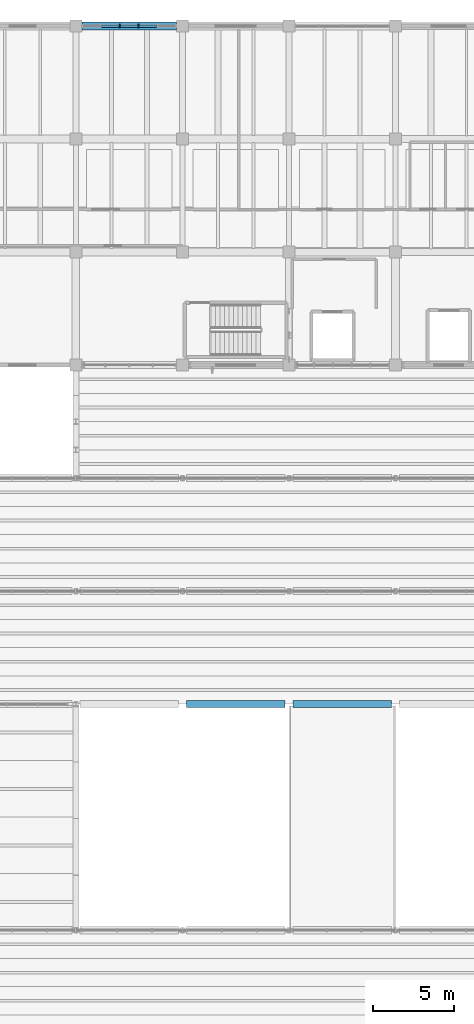
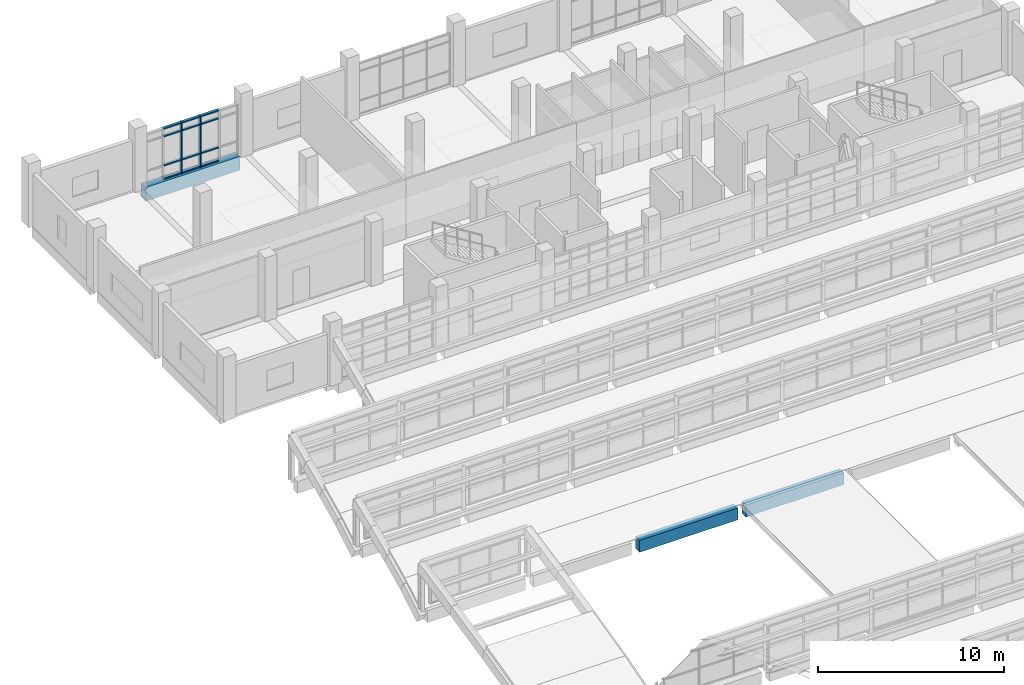
# One storey, part 39 of 92: 14 members, 3 beams, 1 element without a shape of its own.
"""IFC4 building model written with IfcOpenShell, lengths in metres."""

import ifcopenshell
import ifcopenshell.guid

model = None  # the IFC model being written
_history = None  # IfcOwnerHistory: only IFC2X3 demands one
_inside = {}  # id of a spatial element -> (the spatial element, [elements in it])
_under = {}  # id of a project, library or spatial element -> (it, [spatial elements below it])
_declared = {}  # id of a project -> (the project, [libraries it declares])
_typed = {}  # id of a type object -> (the type object, [elements of that type])
_made_of = {}  # id of a material, layer set ... -> (it, [elements and type objects made of it])


def new_model(schema):
    """Start an empty IFC model of exactly this schema.

    Asked for "IFC4X3", IfcOpenShell would pick the latest addendum, in which some entities
    have other attributes; the version numbers below select the first issue.
    IFC2X3 requires an IfcOwnerHistory on every rooted entity: one is made here for all.
    """
    global model, _history
    if schema == "IFC4X3":
        model = ifcopenshell.file(schema_version=(4, 3, 0, 0))
    else:
        model = ifcopenshell.file(schema=schema)
    _inside.clear()
    _under.clear()
    _declared.clear()
    _typed.clear()
    _made_of.clear()
    _history = None
    if model.schema == "IFC2X3":
        org = make("IfcOrganization", Name="unknown")
        user = make(
            "IfcPersonAndOrganization",
            ThePerson=make("IfcPerson", FamilyName="unknown"),
            TheOrganization=org,
        )
        app = make(
            "IfcApplication",
            ApplicationDeveloper=org,
            Version="unknown",
            ApplicationFullName="unknown",
            ApplicationIdentifier="unknown",
        )
        _history = make(
            "IfcOwnerHistory",
            OwningUser=user,
            OwningApplication=app,
            ChangeAction="ADDED",
            CreationDate=0,
        )
    return model


def make(cls, **values):
    """One entity of the class cls with the attributes given. An attribute that is None is left unset."""
    return model.create_entity(
        cls, **{name: value for name, value in values.items() if value is not None}
    )


def rooted(cls, **values):
    """An entity with a GlobalId (a new one), such as an element, a storey or a relation."""
    return make(cls, GlobalId=ifcopenshell.guid.new(), OwnerHistory=_history, **values)


def si_unit(unit_type, name, prefix=None):
    """IfcSIUnit, for example si_unit("LENGTHUNIT", "METRE", prefix="MILLI")."""
    return make("IfcSIUnit", UnitType=unit_type, Prefix=prefix, Name=name)


def assignment(units):
    """IfcUnitAssignment: the units of a project."""
    return None if units is None else make("IfcUnitAssignment", Units=units)


def point(xyz):
    """IfcCartesianPoint."""
    return None if xyz is None else make("IfcCartesianPoint", Coordinates=xyz)


def direction(xyz):
    """IfcDirection."""
    return None if xyz is None else make("IfcDirection", DirectionRatios=xyz)


def frame(location, z_axis=None, x_axis=None):
    """IfcAxis2Placement3D, a coordinate frame: its origin and axes. An axis left out is left unset."""
    return make(
        "IfcAxis2Placement3D",
        Location=point(location),
        Axis=direction(z_axis),
        RefDirection=direction(x_axis),
    )


def frame_2d(location, x_axis=None):
    """IfcAxis2Placement2D, a coordinate frame in the plane: its origin and x axis."""
    return make(
        "IfcAxis2Placement2D", Location=point(location), RefDirection=direction(x_axis)
    )


def origin():
    """The frame at (0, 0, 0) with its axes left unset."""
    return frame((0.0, 0.0, 0.0))


def origin_2d():
    """The frame at (0, 0) in the plane with its x axis left unset."""
    return frame_2d((0.0, 0.0))


def place(relative_to, where):
    """IfcLocalPlacement: puts the frame where relative to a parent placement (None: the world)."""
    return make(
        "IfcLocalPlacement", PlacementRelTo=relative_to, RelativePlacement=where
    )


def context(
    kind, dimensions, precision=None, world=None, true_north=None, identifier=None
):
    """IfcGeometricRepresentationContext, for example the 3D "Model" context."""
    return make(
        "IfcGeometricRepresentationContext",
        ContextIdentifier=identifier,
        ContextType=kind,
        CoordinateSpaceDimension=dimensions,
        Precision=precision,
        WorldCoordinateSystem=world,
        TrueNorth=true_north,
    )


def subcontext(parent, identifier, kind, view, scale=None):
    """IfcGeometricRepresentationSubContext, for example "Body" below "Model"."""
    return make(
        "IfcGeometricRepresentationSubContext",
        ContextIdentifier=identifier,
        ContextType=kind,
        ParentContext=parent,
        TargetScale=scale,
        TargetView=view,
    )


def project(units=None, contexts=None):
    """IfcProject with its units and contexts."""
    return rooted(
        "IfcProject",
        Name="project",
        RepresentationContexts=contexts,
        UnitsInContext=assignment(units),
    )


def spatial(cls, under=None, at=None, **own):
    """A site, building, storey or space (cls), placed at a placement, below another one or the project."""
    s = rooted(cls, ObjectPlacement=at, **own)
    if under is not None:
        _under.setdefault(under.id(), (under, []))[1].append(s)
    return s


def profile(cls, at=None, kind="AREA", **sizes):
    """A parametric profile (cls). Its sizes go by their IFC names, for example OverallWidth=200.0."""
    return make(cls, ProfileType=kind, Position=at, **sizes)


def rectangle(**sizes):
    """IfcRectangleProfileDef."""
    return profile("IfcRectangleProfileDef", **sizes)


def extrude(swept, where, along, depth):
    """IfcExtrudedAreaSolid: the profile swept, set in the frame where, extruded along a direction by depth."""
    return make(
        "IfcExtrudedAreaSolid",
        SweptArea=swept,
        Position=where,
        ExtrudedDirection=direction(along),
        Depth=depth,
    )


def shape(context_of_items, identifier, shape_type, items):
    """IfcShapeRepresentation: the items that make up one representation, for example the "Body"."""
    return make(
        "IfcShapeRepresentation",
        ContextOfItems=context_of_items,
        RepresentationIdentifier=identifier,
        RepresentationType=shape_type,
        Items=items,
    )


def material(Name=None, Category=None):
    """IfcMaterial."""
    return make("IfcMaterial", Name=Name, Category=Category)


def material_profile(
    of_material, cross_section, Name=None, Category=None, Priority=None
):
    """IfcMaterialProfile: a cross section and its material."""
    return make(
        "IfcMaterialProfile",
        Name=Name,
        Material=of_material,
        Profile=cross_section,
        Priority=Priority,
        Category=Category,
    )


def profile_set(profiles, Name=None, composite=None):
    """IfcMaterialProfileSet."""
    return make(
        "IfcMaterialProfileSet",
        Name=Name,
        MaterialProfiles=profiles,
        CompositeProfile=composite,
    )


def made_of(thing, what):
    """Note that an element or type object is made of a material, layer set ...; save() writes the relation."""
    if what is not None:
        _made_of.setdefault(what.id(), (what, []))[1].append(thing)
    return thing


def type_object(cls, material=None, **own):
    """A type object (cls), such as IfcWallType, which elements share."""
    return made_of(rooted(cls, **own), material)


def element(
    cls,
    number,
    at=None,
    inside=None,
    cuts=None,
    type_object=None,
    material=None,
    context=None,
    identifier="Body",
    shape_type=None,
    held_by="IfcProductDefinitionShape",
    body=None,
    shapes=None,
    **own,
):
    """One element of the class cls, such as IfcWall. Its Tag is "e" and its number.

    at: its placement. inside: the storey or other place that contains it. cuts: it is an
    opening in that element (IfcRelVoidsElement). A single representation is given by context,
    identifier, shape_type and body (its items); several are given by shapes. held_by: the class
    of the entity that holds the representations. save() writes the other relations.
    """
    e = rooted(cls, Tag="e%d" % number, ObjectPlacement=at, **own)
    if body is not None:
        shapes = [shape(context, identifier, shape_type, body)]
    if shapes is not None:
        e.Representation = make(held_by, Representations=shapes)
    if inside is not None:
        _inside.setdefault(inside.id(), (inside, []))[1].append(e)
    if cuts is not None:
        rooted(
            "IfcRelVoidsElement", RelatingBuildingElement=cuts, RelatedOpeningElement=e
        )
    if type_object is not None:
        _typed.setdefault(type_object.id(), (type_object, []))[1].append(e)
    return made_of(e, material)


def aggregate(whole, parts):
    """IfcRelAggregates: a whole, such as a stair, and the parts it consists of."""
    return rooted("IfcRelAggregates", RelatingObject=whole, RelatedObjects=parts)


def save(model, path):
    """Write the relations noted so far, then the file.

    IfcRelAggregates (storeys below a building ...), IfcRelContainedInSpatialStructure (elements
    in a storey), IfcRelDefinesByType, IfcRelAssociatesMaterial and IfcRelDeclares: one each for
    every whole, place, type object, material and project.
    """
    for whole, parts in _under.values():
        aggregate(whole, parts)
    for where, things in _inside.values():
        rooted(
            "IfcRelContainedInSpatialStructure",
            RelatedElements=things,
            RelatingStructure=where,
        )
    for kind, things in _typed.values():
        rooted("IfcRelDefinesByType", RelatedObjects=things, RelatingType=kind)
    for what, things in _made_of.values():
        rooted("IfcRelAssociatesMaterial", RelatedObjects=things, RelatingMaterial=what)
    for by, libraries in _declared.values():
        rooted("IfcRelDeclares", RelatingContext=by, RelatedDefinitions=libraries)
    model.write(path)


model = new_model("IFC4")

# Units and contexts
model_context = context("Model", 3, precision=1e-05, world=origin(), true_north=direction((0.0, 1.0)))
body_context = subcontext(model_context, "Body", "Model", "MODEL_VIEW")
ifc_project = project(units=[si_unit("LENGTHUNIT", "METRE"), si_unit("AREAUNIT", "SQUARE_METRE"), si_unit("VOLUMEUNIT", "CUBIC_METRE"), si_unit("PLANEANGLEUNIT", "RADIAN"), si_unit("MASSUNIT", "GRAM", prefix="KILO")], contexts=[model_context])

# Site, building, storey
site_placement = place(None, origin())
site = spatial("IfcSite", under=ifc_project, at=site_placement, CompositionType="ELEMENT")
building_placement = place(site_placement, origin())
building = spatial("IfcBuilding", under=site, at=building_placement, Name="Ciguamira Faculty of Natural Sciences", CompositionType="ELEMENT")
storey_placement = place(building_placement, frame((0.0, 0.0, 16.800048828125)))
storey = spatial("IfcBuildingStorey", under=building, at=storey_placement, Name="L04", CompositionType="ELEMENT", Elevation=16.800048828125)

# Curtain wall, members
ifc_material_1 = material(Name="Anodized aluminium curtain wall", Category="aluminium")
curtain_wall_type = type_object("IfcCurtainWallType", Name="CurtainWall_CW-06", PredefinedType="USERDEFINED", material=ifc_material_1)
curtain_wall_placement = place(storey_placement, origin())
curtain_wall = element("IfcCurtainWall", 1, at=curtain_wall_placement, inside=storey, type_object=curtain_wall_type, Name="L04 unitised curtain wall 0126", ObjectType="UNITISED CURTAIN WALL", PredefinedType="USERDEFINED")
ifc_material_2 = material(Name="Anodized aluminium mullion", Category="aluminium")
ifc_material_profile_1 = material_profile(ifc_material_2, rectangle(XDim=0.080078125, YDim=0.219970703125, at=origin_2d()), Name="ALU-MUL-80X220")
ifc_profile_set_1 = profile_set([ifc_material_profile_1], Name="Anodized aluminium mullion")
member_type_1 = type_object("IfcMemberType", Name="CWMullion_CWM-03", PredefinedType="MULLION", material=ifc_profile_set_1)
member_1_placement = place(storey_placement, frame((66.614990234375, 115.0, 0.0), z_axis=(0.0, 0.0, 1.0), x_axis=(1.0, 0.0, 0.0)))
member_1 = element("IfcMember", 2, at=member_1_placement, type_object=member_type_1, Name="CW-06 mullion 3", PredefinedType="MULLION", context=body_context, shape_type="SweptSolid", body=[
    extrude(rectangle(XDim=0.080078125, YDim=0.219970703125, at=origin_2d()), origin(), (0.0, 0.0, 1.0), 3.364990234375),
])
member_2_placement = place(storey_placement, frame((67.784912109375, 115.0, 0.0), z_axis=(0.0, 0.0, 1.0), x_axis=(1.0, 0.0, 0.0)))
member_2 = element("IfcMember", 3, at=member_2_placement, type_object=member_type_1, Name="CW-06 mullion 4", PredefinedType="MULLION", context=body_context, shape_type="SweptSolid", body=[
    extrude(rectangle(XDim=0.080078125, YDim=0.219970703125, at=origin_2d()), origin(), (0.0, 0.0, 1.0), 3.364990234375),
])
ifc_material_3 = material(Name="Anodized aluminium transom", Category="aluminium")
ifc_material_profile_2 = material_profile(ifc_material_3, rectangle(XDim=0.080078125, YDim=0.159912109375, at=origin_2d()), Name="ALU-TRN-80X160")
ifc_profile_set_2 = profile_set([ifc_material_profile_2], Name="Anodized aluminium transom")
member_type_2 = type_object("IfcMemberType", Name="CWTransom_CWT-03", PredefinedType="USERDEFINED", material=ifc_profile_set_2)
member_3_placement = place(storey_placement, frame((65.485107421875, 115.0, 0.0400390625), z_axis=(1.0, 0.0, 0.0), x_axis=(0.0, 0.0, 1.0)))
member_3 = element("IfcMember", 4, at=member_3_placement, type_object=member_type_2, Name="CW-06 transom 2.1", ObjectType="TRANSOM", PredefinedType="USERDEFINED", context=body_context, shape_type="SweptSolid", body=[
    extrude(rectangle(XDim=0.080078125, YDim=0.159912109375, at=origin_2d()), origin(), (0.0, 0.0, 1.0), 1.08984375),
])
member_4_placement = place(storey_placement, frame((65.485107421875, 115.0, 0.89990234375), z_axis=(1.0, 0.0, 0.0), x_axis=(0.0, 0.0, 1.0)))
member_4 = element("IfcMember", 5, at=member_4_placement, type_object=member_type_2, Name="CW-06 transom 2.2", ObjectType="TRANSOM", PredefinedType="USERDEFINED", context=body_context, shape_type="SweptSolid", body=[
    extrude(rectangle(XDim=0.080078125, YDim=0.159912109375, at=origin_2d()), origin(), (0.0, 0.0, 1.0), 1.08984375),
])
member_5_placement = place(storey_placement, frame((65.485107421875, 115.0, 2.81494140625), z_axis=(1.0, 0.0, 0.0), x_axis=(0.0, 0.0, 1.0)))
member_5 = element("IfcMember", 6, at=member_5_placement, type_object=member_type_2, Name="CW-06 transom 2.3", ObjectType="TRANSOM", PredefinedType="USERDEFINED", context=body_context, shape_type="SweptSolid", body=[
    extrude(rectangle(XDim=0.080078125, YDim=0.159912109375, at=origin_2d()), origin(), (0.0, 0.0, 1.0), 1.08984375),
])
member_6_placement = place(storey_placement, frame((65.485107421875, 115.0, 3.324951171875), z_axis=(1.0, 0.0, 0.0), x_axis=(0.0, 0.0, 1.0)))
member_6 = element("IfcMember", 7, at=member_6_placement, type_object=member_type_2, Name="CW-06 transom 2.4", ObjectType="TRANSOM", PredefinedType="USERDEFINED", context=body_context, shape_type="SweptSolid", body=[
    extrude(rectangle(XDim=0.080078125, YDim=0.159912109375, at=origin_2d()), origin(), (0.0, 0.0, 1.0), 1.08984375),
])
member_7_placement = place(storey_placement, frame((66.655029296875, 115.0, 0.0400390625), z_axis=(1.0, 0.0, 0.0), x_axis=(0.0, 0.0, 1.0)))
member_7 = element("IfcMember", 8, at=member_7_placement, type_object=member_type_2, Name="CW-06 transom 3.1", ObjectType="TRANSOM", PredefinedType="USERDEFINED", context=body_context, shape_type="SweptSolid", body=[
    extrude(rectangle(XDim=0.080078125, YDim=0.159912109375, at=origin_2d()), origin(), (0.0, 0.0, 1.0), 1.090087890625),
])
member_8_placement = place(storey_placement, frame((66.655029296875, 115.0, 0.89990234375), z_axis=(1.0, 0.0, 0.0), x_axis=(0.0, 0.0, 1.0)))
member_8 = element("IfcMember", 9, at=member_8_placement, type_object=member_type_2, Name="CW-06 transom 3.2", ObjectType="TRANSOM", PredefinedType="USERDEFINED", context=body_context, shape_type="SweptSolid", body=[
    extrude(rectangle(XDim=0.080078125, YDim=0.159912109375, at=origin_2d()), origin(), (0.0, 0.0, 1.0), 1.090087890625),
])
member_9_placement = place(storey_placement, frame((66.655029296875, 115.0, 2.81494140625), z_axis=(1.0, 0.0, 0.0), x_axis=(0.0, 0.0, 1.0)))
member_9 = element("IfcMember", 10, at=member_9_placement, type_object=member_type_2, Name="CW-06 transom 3.3", ObjectType="TRANSOM", PredefinedType="USERDEFINED", context=body_context, shape_type="SweptSolid", body=[
    extrude(rectangle(XDim=0.080078125, YDim=0.159912109375, at=origin_2d()), origin(), (0.0, 0.0, 1.0), 1.090087890625),
])
member_10_placement = place(storey_placement, frame((66.655029296875, 115.0, 3.324951171875), z_axis=(1.0, 0.0, 0.0), x_axis=(0.0, 0.0, 1.0)))
member_10 = element("IfcMember", 11, at=member_10_placement, type_object=member_type_2, Name="CW-06 transom 3.4", ObjectType="TRANSOM", PredefinedType="USERDEFINED", context=body_context, shape_type="SweptSolid", body=[
    extrude(rectangle(XDim=0.080078125, YDim=0.159912109375, at=origin_2d()), origin(), (0.0, 0.0, 1.0), 1.090087890625),
])
member_11_placement = place(storey_placement, frame((67.824951171875, 115.0, 0.0400390625), z_axis=(1.0, 0.0, 0.0), x_axis=(0.0, 0.0, 1.0)))
member_11 = element("IfcMember", 12, at=member_11_placement, type_object=member_type_2, Name="CW-06 transom 4.1", ObjectType="TRANSOM", PredefinedType="USERDEFINED", context=body_context, shape_type="SweptSolid", body=[
    extrude(rectangle(XDim=0.080078125, YDim=0.159912109375, at=origin_2d()), origin(), (0.0, 0.0, 1.0), 1.090087890625),
])
member_12_placement = place(storey_placement, frame((67.824951171875, 115.0, 0.89990234375), z_axis=(1.0, 0.0, 0.0), x_axis=(0.0, 0.0, 1.0)))
member_12 = element("IfcMember", 13, at=member_12_placement, type_object=member_type_2, Name="CW-06 transom 4.2", ObjectType="TRANSOM", PredefinedType="USERDEFINED", context=body_context, shape_type="SweptSolid", body=[
    extrude(rectangle(XDim=0.080078125, YDim=0.159912109375, at=origin_2d()), origin(), (0.0, 0.0, 1.0), 1.090087890625),
])
member_13_placement = place(storey_placement, frame((67.824951171875, 115.0, 2.81494140625), z_axis=(1.0, 0.0, 0.0), x_axis=(0.0, 0.0, 1.0)))
member_13 = element("IfcMember", 14, at=member_13_placement, type_object=member_type_2, Name="CW-06 transom 4.3", ObjectType="TRANSOM", PredefinedType="USERDEFINED", context=body_context, shape_type="SweptSolid", body=[
    extrude(rectangle(XDim=0.080078125, YDim=0.159912109375, at=origin_2d()), origin(), (0.0, 0.0, 1.0), 1.090087890625),
])
member_14_placement = place(storey_placement, frame((67.824951171875, 115.0, 3.324951171875), z_axis=(1.0, 0.0, 0.0), x_axis=(0.0, 0.0, 1.0)))
member_14 = element("IfcMember", 15, at=member_14_placement, type_object=member_type_2, Name="CW-06 transom 4.4", ObjectType="TRANSOM", PredefinedType="USERDEFINED", context=body_context, shape_type="SweptSolid", body=[
    extrude(rectangle(XDim=0.080078125, YDim=0.159912109375, at=origin_2d()), origin(), (0.0, 0.0, 1.0), 1.090087890625),
])
aggregate(curtain_wall, [member_1, member_2, member_3, member_4, member_5, member_6, member_7, member_8, member_9, member_10, member_11, member_12, member_13, member_14])

# Beams
ifc_material_4 = material(Name="Concrete C40/50", Category="concrete")
ifc_material_profile_3 = material_profile(ifc_material_4, rectangle(XDim=0.5, YDim=0.89990234375, at=origin_2d()), Name="RC-BM-500X900")
ifc_profile_set_3 = profile_set([ifc_material_profile_3], Name="Concrete C40/50")
beam_type_1 = type_object("IfcBeamType", Name="RCBeam_BG-03_RC-BM-500X900", PredefinedType="BEAM", material=ifc_profile_set_3)
beam_1_placement = place(storey_placement, frame((64.27490234375, 115.0, -0.449951171875), z_axis=(1.0, 0.0, 0.0), x_axis=(0.0, 1.0, 0.0)))
element("IfcBeam", 16, at=beam_1_placement, inside=storey, type_object=beam_type_1, Name="L04 RC girder EW-1379", PredefinedType="BEAM", context=body_context, shape_type="SweptSolid", body=[
    extrude(rectangle(XDim=0.5, YDim=0.89990234375, at=origin_2d()), origin(), (0.0, 0.0, 1.0), 5.85009765625),
])
ifc_material_profile_4 = material_profile(ifc_material_4, rectangle(XDim=0.43994140625, YDim=0.780029296875, at=origin_2d()), Name="RC-BM-440X780")
ifc_profile_set_4 = profile_set([ifc_material_profile_4], Name="Concrete C40/50")
beam_type_2 = type_object("IfcBeamType", Name="RCBeam_BG-06_RC-BM-440X780", PredefinedType="BEAM", material=ifc_profile_set_4)
beam_2_placement = place(storey_placement, frame((70.75, 73.0, -0.39013671875), z_axis=(1.0, 0.0, 0.0), x_axis=(0.0, 1.0, 0.0)))
element("IfcBeam", 17, at=beam_2_placement, inside=storey, type_object=beam_type_2, Name="V4 north-light wave 5 RC valley beam VAL-1-3", PredefinedType="BEAM", context=body_context, shape_type="SweptSolid", body=[
    extrude(rectangle(XDim=0.43994140625, YDim=0.780029296875, at=origin_2d()), origin(), (0.0, 0.0, 1.0), 6.10009765625),
])
beam_3_placement = place(storey_placement, frame((77.35009765625, 73.0, -0.39013671875), z_axis=(1.0, 0.0, 0.0), x_axis=(0.0, 1.0, 0.0)))
element("IfcBeam", 18, at=beam_3_placement, inside=storey, type_object=beam_type_2, Name="V4 north-light wave 5 RC valley beam VAL-1-4", PredefinedType="BEAM", context=body_context, shape_type="SweptSolid", body=[
    extrude(rectangle(XDim=0.43994140625, YDim=0.780029296875, at=origin_2d()), origin(), (0.0, 0.0, 1.0), 6.099853515625),
])

save(model, "model.ifc")
